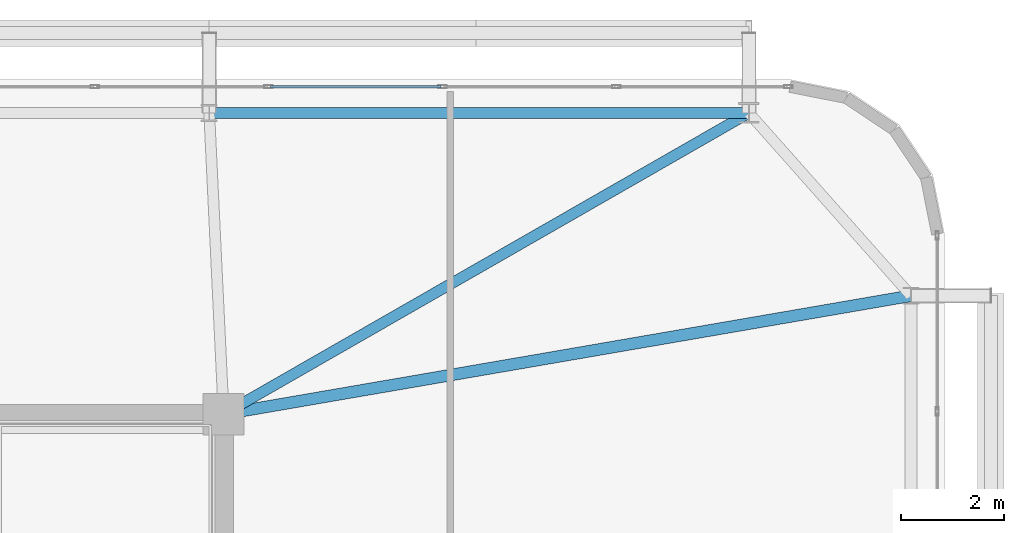
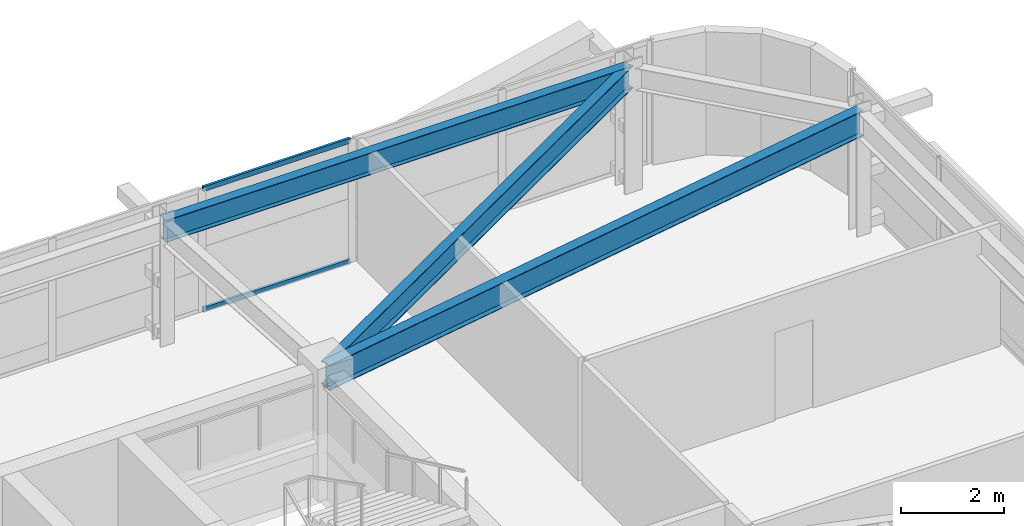
# One storey, part 39 of 59: 3 beams, 2 members, 1 element without a shape of its own.
"""IFC4 building model written with IfcOpenShell, lengths in metres."""

import ifcopenshell
import ifcopenshell.guid

model = None  # the IFC model being written
_history = None  # IfcOwnerHistory: only IFC2X3 demands one
_inside = {}  # id of a spatial element -> (the spatial element, [elements in it])
_under = {}  # id of a project, library or spatial element -> (it, [spatial elements below it])
_declared = {}  # id of a project -> (the project, [libraries it declares])
_typed = {}  # id of a type object -> (the type object, [elements of that type])
_made_of = {}  # id of a material, layer set ... -> (it, [elements and type objects made of it])


def new_model(schema):
    """Start an empty IFC model of exactly this schema.

    Asked for "IFC4X3", IfcOpenShell would pick the latest addendum, in which some entities
    have other attributes; the version numbers below select the first issue.
    IFC2X3 requires an IfcOwnerHistory on every rooted entity: one is made here for all.
    """
    global model, _history
    if schema == "IFC4X3":
        model = ifcopenshell.file(schema_version=(4, 3, 0, 0))
    else:
        model = ifcopenshell.file(schema=schema)
    _inside.clear()
    _under.clear()
    _declared.clear()
    _typed.clear()
    _made_of.clear()
    _history = None
    if model.schema == "IFC2X3":
        org = make("IfcOrganization", Name="unknown")
        user = make(
            "IfcPersonAndOrganization",
            ThePerson=make("IfcPerson", FamilyName="unknown"),
            TheOrganization=org,
        )
        app = make(
            "IfcApplication",
            ApplicationDeveloper=org,
            Version="unknown",
            ApplicationFullName="unknown",
            ApplicationIdentifier="unknown",
        )
        _history = make(
            "IfcOwnerHistory",
            OwningUser=user,
            OwningApplication=app,
            ChangeAction="ADDED",
            CreationDate=0,
        )
    return model


def make(cls, **values):
    """One entity of the class cls with the attributes given. An attribute that is None is left unset."""
    return model.create_entity(
        cls, **{name: value for name, value in values.items() if value is not None}
    )


def rooted(cls, **values):
    """An entity with a GlobalId (a new one), such as an element, a storey or a relation."""
    return make(cls, GlobalId=ifcopenshell.guid.new(), OwnerHistory=_history, **values)


def si_unit(unit_type, name, prefix=None):
    """IfcSIUnit, for example si_unit("LENGTHUNIT", "METRE", prefix="MILLI")."""
    return make("IfcSIUnit", UnitType=unit_type, Prefix=prefix, Name=name)


def assignment(units):
    """IfcUnitAssignment: the units of a project."""
    return None if units is None else make("IfcUnitAssignment", Units=units)


def point(xyz):
    """IfcCartesianPoint."""
    return None if xyz is None else make("IfcCartesianPoint", Coordinates=xyz)


def direction(xyz):
    """IfcDirection."""
    return None if xyz is None else make("IfcDirection", DirectionRatios=xyz)


def frame(location, z_axis=None, x_axis=None):
    """IfcAxis2Placement3D, a coordinate frame: its origin and axes. An axis left out is left unset."""
    return make(
        "IfcAxis2Placement3D",
        Location=point(location),
        Axis=direction(z_axis),
        RefDirection=direction(x_axis),
    )


def frame_2d(location, x_axis=None):
    """IfcAxis2Placement2D, a coordinate frame in the plane: its origin and x axis."""
    return make(
        "IfcAxis2Placement2D", Location=point(location), RefDirection=direction(x_axis)
    )


def origin():
    """The frame at (0, 0, 0) with its axes left unset."""
    return frame((0.0, 0.0, 0.0))


def origin_2d():
    """The frame at (0, 0) in the plane with its x axis left unset."""
    return frame_2d((0.0, 0.0))


def place(relative_to, where):
    """IfcLocalPlacement: puts the frame where relative to a parent placement (None: the world)."""
    return make(
        "IfcLocalPlacement", PlacementRelTo=relative_to, RelativePlacement=where
    )


def context(
    kind, dimensions, precision=None, world=None, true_north=None, identifier=None
):
    """IfcGeometricRepresentationContext, for example the 3D "Model" context."""
    return make(
        "IfcGeometricRepresentationContext",
        ContextIdentifier=identifier,
        ContextType=kind,
        CoordinateSpaceDimension=dimensions,
        Precision=precision,
        WorldCoordinateSystem=world,
        TrueNorth=true_north,
    )


def subcontext(parent, identifier, kind, view, scale=None):
    """IfcGeometricRepresentationSubContext, for example "Body" below "Model"."""
    return make(
        "IfcGeometricRepresentationSubContext",
        ContextIdentifier=identifier,
        ContextType=kind,
        ParentContext=parent,
        TargetScale=scale,
        TargetView=view,
    )


def project(units=None, contexts=None):
    """IfcProject with its units and contexts."""
    return rooted(
        "IfcProject",
        Name="project",
        RepresentationContexts=contexts,
        UnitsInContext=assignment(units),
    )


def spatial(cls, under=None, at=None, **own):
    """A site, building, storey or space (cls), placed at a placement, below another one or the project."""
    s = rooted(cls, ObjectPlacement=at, **own)
    if under is not None:
        _under.setdefault(under.id(), (under, []))[1].append(s)
    return s


def profile(cls, at=None, kind="AREA", **sizes):
    """A parametric profile (cls). Its sizes go by their IFC names, for example OverallWidth=200.0."""
    return make(cls, ProfileType=kind, Position=at, **sizes)


def hollow_rectangle(**sizes):
    """IfcRectangleHollowProfileDef."""
    return profile("IfcRectangleHollowProfileDef", **sizes)


def i_section(**sizes):
    """IfcIShapeProfileDef."""
    return profile("IfcIShapeProfileDef", **sizes)


def extrude(swept, where, along, depth):
    """IfcExtrudedAreaSolid: the profile swept, set in the frame where, extruded along a direction by depth."""
    return make(
        "IfcExtrudedAreaSolid",
        SweptArea=swept,
        Position=where,
        ExtrudedDirection=direction(along),
        Depth=depth,
    )


def shape(context_of_items, identifier, shape_type, items):
    """IfcShapeRepresentation: the items that make up one representation, for example the "Body"."""
    return make(
        "IfcShapeRepresentation",
        ContextOfItems=context_of_items,
        RepresentationIdentifier=identifier,
        RepresentationType=shape_type,
        Items=items,
    )


def source(mapping_origin, context_of_items, identifier, shape_type, items):
    """IfcRepresentationMap: a shape defined once, which mapped items show again and again."""
    return make(
        "IfcRepresentationMap",
        MappingOrigin=mapping_origin,
        MappedRepresentation=shape(context_of_items, identifier, shape_type, items),
    )


def transform(
    local_origin,
    x_axis=None,
    y_axis=None,
    z_axis=None,
    scale=None,
    scale2=None,
    scale3=None,
    uniform=True,
):
    """IfcCartesianTransformationOperator3D, or its non-uniform kind. x_axis, y_axis, z_axis: its Axis1, 2, 3."""
    if uniform:
        return make(
            "IfcCartesianTransformationOperator3D",
            Axis1=direction(x_axis),
            Axis2=direction(y_axis),
            LocalOrigin=point(local_origin),
            Scale=scale,
            Axis3=direction(z_axis),
        )
    return make(
        "IfcCartesianTransformationOperator3DnonUniform",
        Axis1=direction(x_axis),
        Axis2=direction(y_axis),
        LocalOrigin=point(local_origin),
        Scale=scale,
        Axis3=direction(z_axis),
        Scale2=scale2,
        Scale3=scale3,
    )


def mapped(mapping_source, mapping_target):
    """IfcMappedItem: shows the shape of a source again, moved by a transform."""
    return make(
        "IfcMappedItem", MappingSource=mapping_source, MappingTarget=mapping_target
    )


def material(Name=None, Category=None):
    """IfcMaterial."""
    return make("IfcMaterial", Name=Name, Category=Category)


def layer(
    of_material, thickness, ventilated=None, Name=None, Category=None, Priority=None
):
    """IfcMaterialLayer: one layer of a wall or slab, of a material (None: an air gap)."""
    return make(
        "IfcMaterialLayer",
        Material=of_material,
        LayerThickness=thickness,
        IsVentilated=ventilated,
        Name=Name,
        Category=Category,
        Priority=Priority,
    )


def layer_set(layers, Name=None):
    """IfcMaterialLayerSet."""
    return make("IfcMaterialLayerSet", MaterialLayers=layers, LayerSetName=Name)


def material_profile(
    of_material, cross_section, Name=None, Category=None, Priority=None
):
    """IfcMaterialProfile: a cross section and its material."""
    return make(
        "IfcMaterialProfile",
        Name=Name,
        Material=of_material,
        Profile=cross_section,
        Priority=Priority,
        Category=Category,
    )


def profile_set(profiles, Name=None, composite=None):
    """IfcMaterialProfileSet."""
    return make(
        "IfcMaterialProfileSet",
        Name=Name,
        MaterialProfiles=profiles,
        CompositeProfile=composite,
    )


def made_of(thing, what):
    """Note that an element or type object is made of a material, layer set ...; save() writes the relation."""
    if what is not None:
        _made_of.setdefault(what.id(), (what, []))[1].append(thing)
    return thing


def type_object(cls, material=None, **own):
    """A type object (cls), such as IfcWallType, which elements share."""
    return made_of(rooted(cls, **own), material)


def element(
    cls,
    number,
    at=None,
    inside=None,
    cuts=None,
    type_object=None,
    material=None,
    context=None,
    identifier="Body",
    shape_type=None,
    held_by="IfcProductDefinitionShape",
    body=None,
    shapes=None,
    **own,
):
    """One element of the class cls, such as IfcWall. Its Tag is "e" and its number.

    at: its placement. inside: the storey or other place that contains it. cuts: it is an
    opening in that element (IfcRelVoidsElement). A single representation is given by context,
    identifier, shape_type and body (its items); several are given by shapes. held_by: the class
    of the entity that holds the representations. save() writes the other relations.
    """
    e = rooted(cls, Tag="e%d" % number, ObjectPlacement=at, **own)
    if body is not None:
        shapes = [shape(context, identifier, shape_type, body)]
    if shapes is not None:
        e.Representation = make(held_by, Representations=shapes)
    if inside is not None:
        _inside.setdefault(inside.id(), (inside, []))[1].append(e)
    if cuts is not None:
        rooted(
            "IfcRelVoidsElement", RelatingBuildingElement=cuts, RelatedOpeningElement=e
        )
    if type_object is not None:
        _typed.setdefault(type_object.id(), (type_object, []))[1].append(e)
    return made_of(e, material)


def aggregate(whole, parts):
    """IfcRelAggregates: a whole, such as a stair, and the parts it consists of."""
    return rooted("IfcRelAggregates", RelatingObject=whole, RelatedObjects=parts)


def save(model, path):
    """Write the relations noted so far, then the file.

    IfcRelAggregates (storeys below a building ...), IfcRelContainedInSpatialStructure (elements
    in a storey), IfcRelDefinesByType, IfcRelAssociatesMaterial and IfcRelDeclares: one each for
    every whole, place, type object, material and project.
    """
    for whole, parts in _under.values():
        aggregate(whole, parts)
    for where, things in _inside.values():
        rooted(
            "IfcRelContainedInSpatialStructure",
            RelatedElements=things,
            RelatingStructure=where,
        )
    for kind, things in _typed.values():
        rooted("IfcRelDefinesByType", RelatedObjects=things, RelatingType=kind)
    for what, things in _made_of.values():
        rooted("IfcRelAssociatesMaterial", RelatedObjects=things, RelatingMaterial=what)
    for by, libraries in _declared.values():
        rooted("IfcRelDeclares", RelatingContext=by, RelatedDefinitions=libraries)
    model.write(path)


model = new_model("IFC4")

# Units and contexts
model_context = context("Model", 3, precision=1e-05, world=origin(), true_north=direction((0.0, 1.0)))
body_context = subcontext(model_context, "Body", "Model", "MODEL_VIEW")
ifc_project = project(units=[si_unit("LENGTHUNIT", "METRE"), si_unit("AREAUNIT", "SQUARE_METRE"), si_unit("VOLUMEUNIT", "CUBIC_METRE"), si_unit("PLANEANGLEUNIT", "RADIAN"), si_unit("MASSUNIT", "GRAM", prefix="KILO")], contexts=[model_context])

# Site, building, storey
site_placement = place(None, origin())
site = spatial("IfcSite", under=ifc_project, at=site_placement, CompositionType="ELEMENT")
building_placement = place(site_placement, origin())
building = spatial("IfcBuilding", under=site, at=building_placement, Name="Taldren Reach Tower", CompositionType="ELEMENT")
storey_placement = place(building_placement, frame((0.0, 0.0, 48.300048828125)))
storey = spatial("IfcBuildingStorey", under=building, at=storey_placement, Name="L14", CompositionType="ELEMENT", Elevation=48.300048828125)

# Beams
ifc_material_1 = material(Name="Steel Gr 350 (350PLUS)", Category="steel")
ifc_material_profile_1 = material_profile(ifc_material_1, i_section(OverallWidth=0.208984375, OverallDepth=0.528076171875, WebThickness=0.009521484375, FlangeThickness=0.01318359375, at=origin_2d()), Name="530UB82.0")
ifc_profile_set_1 = profile_set([ifc_material_profile_1], Name="Steel Gr 350 (350PLUS)")
beam_type_1 = type_object("IfcBeamType", Name="SP-UB530B", PredefinedType="SPANDREL", material=ifc_profile_set_1)
shared_shape_1 = source(origin(), body_context, "Body", "SweptSolid", [
    extrude(i_section(OverallWidth=0.208984375, OverallDepth=0.528076171875, WebThickness=0.009521484375, FlangeThickness=0.01318359375, at=origin_2d()), origin(), (0.0, 0.0, 1.0), 10.47998046875),
])
beam_1_placement = place(storey_placement, frame((61.199951171875, 37.85009765625, 2.666015625), z_axis=(-1.0, 0.0, 0.0), x_axis=(0.0, -1.0, 0.0)))
element("IfcBeam", 1, at=beam_1_placement, inside=storey, type_object=beam_type_1, Name="Perimeter spandrel B1 N6-N5 L14", PredefinedType="SPANDREL", context=body_context, shape_type="MappedRepresentation", body=[
    mapped(shared_shape_1, transform((0.0, 0.0, 0.0), scale=1.0)),
])
ifc_material_profile_2 = material_profile(ifc_material_1, i_section(OverallWidth=0.22802734375, OverallDepth=0.60205078125, WebThickness=0.010498046875, FlangeThickness=0.014892578125, at=origin_2d()), Name="610UB101")
ifc_profile_set_2 = profile_set([ifc_material_profile_2], Name="Steel Gr 350 (350PLUS)")
beam_type_2 = type_object("IfcBeamType", Name="BM-UB610B", PredefinedType="BEAM", material=ifc_profile_set_2)
shared_shape_2 = source(origin(), body_context, "Body", "SweptSolid", [
    extrude(i_section(OverallWidth=0.22802734375, OverallDepth=0.60205078125, WebThickness=0.010498046875, FlangeThickness=0.014892578125, at=origin_2d()), origin(), (0.0, 0.0, 1.0), 13.546875),
])
beam_2_placement = place(storey_placement, frame((51.0, 32.0, 2.62890625), z_axis=(0.985481022998, 0.169785609847, 0.0), x_axis=(-0.169785609847, 0.985481022998, 0.0)))
element("IfcBeam", 2, at=beam_2_placement, inside=storey, type_object=beam_type_2, Name="Primary floor girder B1-E3 L14", PredefinedType="BEAM", context=body_context, shape_type="MappedRepresentation", body=[
    mapped(shared_shape_2, transform((0.0, 0.0, 0.0), scale=1.0)),
])
ifc_material_profile_3 = material_profile(ifc_material_1, i_section(OverallWidth=0.208984375, OverallDepth=0.532958984375, WebThickness=0.01025390625, FlangeThickness=0.015625, at=origin_2d()), Name="530UB92.4")
ifc_profile_set_3 = profile_set([ifc_material_profile_3], Name="Steel Gr 350 (350PLUS)")
beam_type_3 = type_object("IfcBeamType", Name="BM-UB530A", PredefinedType="BEAM", material=ifc_profile_set_3)
shared_shape_3 = source(origin(), body_context, "Body", "SweptSolid", [
    extrude(i_section(OverallWidth=0.208984375, OverallDepth=0.532958984375, WebThickness=0.01025390625, FlangeThickness=0.015625, at=origin_2d()), origin(), (0.0, 0.0, 1.0), 11.758544921875),
])
beam_3_placement = place(storey_placement, frame((51.0, 32.0, 2.663330078125), z_axis=(0.867452414141, 0.497520159593, 0.0), x_axis=(-0.497520159593, 0.867452414141, 0.0)))
element("IfcBeam", 3, at=beam_3_placement, inside=storey, type_object=beam_type_3, Name="Primary floor girder B1-N6 L14", PredefinedType="BEAM", context=body_context, shape_type="MappedRepresentation", body=[
    mapped(shared_shape_3, transform((0.0, 0.0, 0.0), scale=1.0)),
])

# Curtain wall, members
ifc_material_2 = material(Name="Aluminium and Low-E Glass Unitised System", Category="aluminium")
ifc_layer = layer(ifc_material_2, 0.159912109375)
ifc_layer_set = layer_set([ifc_layer], Name="Aluminium and Low-E Glass Unitised System")
curtain_wall_type = type_object("IfcCurtainWallType", Name="CW-SYS-2", PredefinedType="NOTDEFINED", material=ifc_layer_set)
curtain_wall_placement = place(storey_placement, origin())
curtain_wall = element("IfcCurtainWall", 4, at=curtain_wall_placement, inside=storey, type_object=curtain_wall_type, Name="Unitised curtain wall CW-L14-N", PredefinedType="NOTDEFINED")
ifc_material_3 = material(Name="Anodised Aluminium 6063-T6", Category="aluminium")
ifc_material_profile_4 = material_profile(ifc_material_3, hollow_rectangle(XDim=0.054931640625, YDim=0.1201171875, WallThickness=0.0029296875, at=origin_2d()), Name="ALU-120x55x3RHS")
ifc_profile_set_4 = profile_set([ifc_material_profile_4], Name="Anodised Aluminium 6063-T6")
member_type = type_object("IfcMemberType", Name="CW-TRN-135", PredefinedType="USERDEFINED", material=ifc_profile_set_4)
shared_shape_4 = source(origin(), body_context, "Body", "SweptSolid", [
    extrude(hollow_rectangle(XDim=0.054931640625, YDim=0.1201171875, WallThickness=0.0029296875, at=origin_2d()), origin(), (0.0, 0.0, 1.0), 3.31005859375),
])
member_1_placement = place(storey_placement, frame((55.217529296875, 38.360107421875, 0.02734375), z_axis=(-1.0, 0.0, 0.0), x_axis=(0.0, -1.0, 0.0)))
member_1 = element("IfcMember", 5, at=member_1_placement, type_object=member_type, Name="CW-2 transom 3.1", ObjectType="TRANSOM", PredefinedType="USERDEFINED", context=body_context, shape_type="MappedRepresentation", body=[
    mapped(shared_shape_4, transform((0.0, 0.0, 0.0), scale=1.0)),
])
member_2_placement = place(storey_placement, frame((55.217529296875, 38.360107421875, 2.90234375), z_axis=(-1.0, 0.0, 0.0), x_axis=(0.0, -1.0, 0.0)))
member_2 = element("IfcMember", 6, at=member_2_placement, type_object=member_type, Name="CW-2 transom 3.2", ObjectType="TRANSOM", PredefinedType="USERDEFINED", context=body_context, shape_type="MappedRepresentation", body=[
    mapped(shared_shape_4, transform((0.0, 0.0, 0.0), scale=1.0)),
])
aggregate(curtain_wall, [member_1, member_2])

save(model, "model.ifc")
